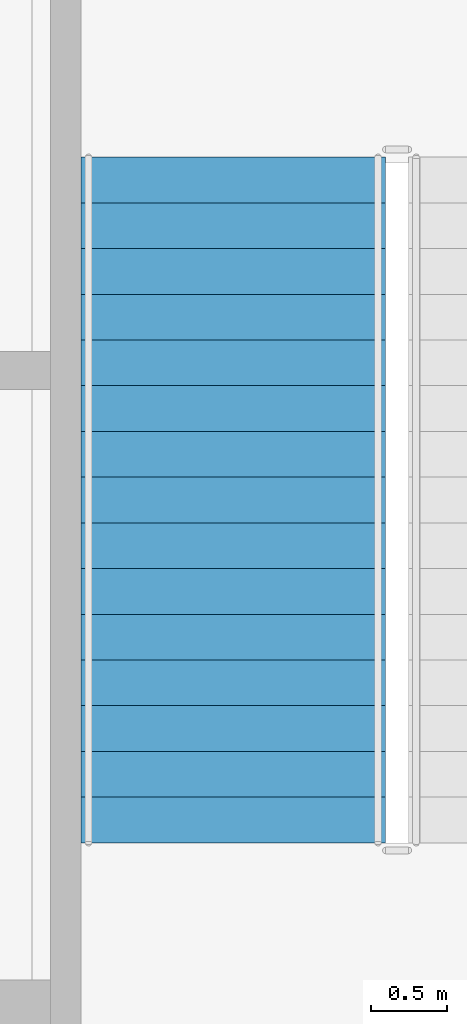
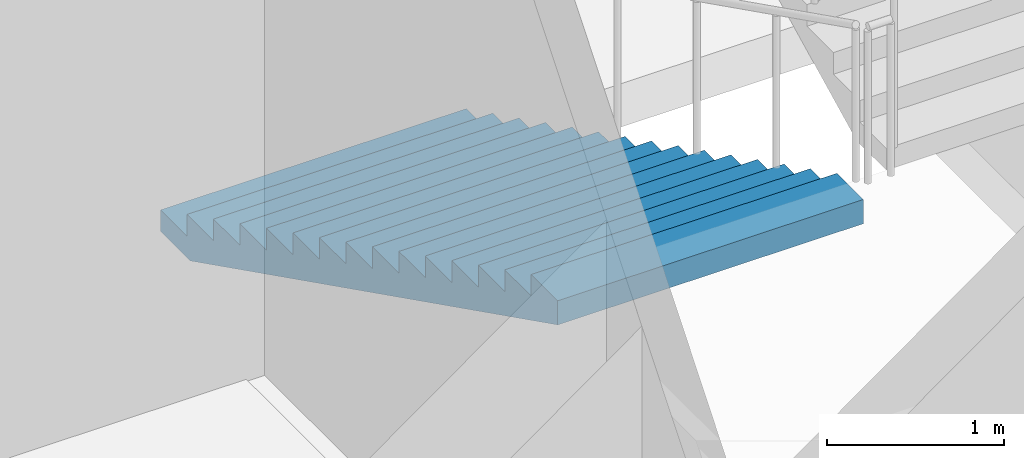
# One storey, part 80 of 100: 1 stair flight, 1 element without a shape of its own.
"""IFC4 building model written with IfcOpenShell, lengths in metres."""

from ifc_helpers import new_model, si_unit, direction, frame, origin, place, context, subcontext, project, spatial, faceted_brep, material, type_object, element, aggregate, save


model = new_model("IFC4")

# Units and contexts
model_context = context("Model", 3, precision=1e-05, world=origin(), true_north=direction((0.0, 1.0)))
body_context = subcontext(model_context, "Body", "Model", "MODEL_VIEW")
ifc_project = project(units=[si_unit("LENGTHUNIT", "METRE"), si_unit("AREAUNIT", "SQUARE_METRE"), si_unit("VOLUMEUNIT", "CUBIC_METRE"), si_unit("PLANEANGLEUNIT", "RADIAN"), si_unit("MASSUNIT", "GRAM", prefix="KILO")], contexts=[model_context])

# Site, building, storey
site_placement = place(None, origin())
site = spatial("IfcSite", under=ifc_project, at=site_placement, CompositionType="ELEMENT")
building_placement = place(site_placement, origin())
building = spatial("IfcBuilding", under=site, at=building_placement, Name="Kiln Court Media Centre", CompositionType="ELEMENT")
storey_placement = place(building_placement, frame((0.0, 0.0, 15.0)))
storey = spatial("IfcBuildingStorey", under=building, at=storey_placement, Name="L03", CompositionType="ELEMENT", Elevation=15.0)

# Stair, stair flight
ifc_material_1 = material(Name="Concrete C40/50", Category="concrete")
stair_type = type_object("IfcStairType", Name="Concrete C40/50 dog-leg stair 2000 wide, 150 riser", PredefinedType="HALF_TURN_STAIR", material=ifc_material_1)
stair_placement = place(storey_placement, origin())
stair = element("IfcStair", 1, at=stair_placement, inside=storey, type_object=stair_type, Name="ST-08 L03", PredefinedType="HALF_TURN_STAIR")
ifc_material_2 = material(Name="Concrete C40/50", Category="concrete")
stair_flight_type = type_object("IfcStairFlightType", Name="Concrete C40/50 stair flight 2000 wide, 150 riser, 300 going", PredefinedType="STRAIGHT", material=ifc_material_2)
stair_flight_placement = place(storey_placement, frame((30.0, 64.39990234375, 0.0), z_axis=(0.0, 0.0, 1.0), x_axis=(0.0, -1.0, 0.0)))
stair_flight = element("IfcStairFlight", 2, at=stair_flight_placement, type_object=stair_flight_type, Name="L03-ST-5006 flight 5012", NumberOfRisers=16, NumberOfTreads=15, PredefinedType="STRAIGHT", RiserHeight=0.15, TreadLength=0.3, context=body_context, shape_type="Brep", body=[
    faceted_brep([(0.335205078125, -1.0, 0.0), (4.5, -1.0, 2.08251953125), (4.5, -1.0, 2.25), (4.199951171875, -1.0, 2.25), (4.199951171875, -1.0, 2.10009765625), (3.89990234375, -1.0, 2.10009765625), (3.89990234375, -1.0, 1.949951171875), (3.60009765625, -1.0, 1.949951171875), (3.60009765625, -1.0, 1.800048828125), (3.300048828125, -1.0, 1.800048828125), (3.300048828125, -1.0, 1.64990234375), (3.0, -1.0, 1.64990234375), (3.0, -1.0, 1.5), (2.699951171875, -1.0, 1.5), (2.699951171875, -1.0, 1.35009765625), (2.39990234375, -1.0, 1.35009765625), (2.39990234375, -1.0, 1.199951171875), (2.10009765625, -1.0, 1.199951171875), (2.10009765625, -1.0, 1.050048828125), (1.800048828125, -1.0, 1.050048828125), (1.800048828125, -1.0, 0.89990234375), (1.5, -1.0, 0.89990234375), (1.5, -1.0, 0.75), (1.199951171875, -1.0, 0.75), (1.199951171875, -1.0, 0.60009765625), (0.89990234375, -1.0, 0.60009765625), (0.89990234375, -1.0, 0.449951171875), (0.60009765625, -1.0, 0.449951171875), (0.60009765625, -1.0, 0.300048828125), (0.300048828125, -1.0, 0.300048828125), (0.300048828125, -1.0, 0.14990234375), (0.0, -1.0, 0.14990234375), (0.0, -1.0, 0.0), (0.0, 1.0, 0.0), (0.0, 1.0, 0.14990234375), (0.300048828125, 1.0, 0.14990234375), (0.300048828125, 1.0, 0.300048828125), (0.60009765625, 1.0, 0.300048828125), (0.60009765625, 1.0, 0.449951171875), (0.89990234375, 1.0, 0.449951171875), (0.89990234375, 1.0, 0.60009765625), (1.199951171875, 1.0, 0.60009765625), (1.199951171875, 1.0, 0.75), (1.5, 1.0, 0.75), (1.5, 1.0, 0.89990234375), (1.800048828125, 1.0, 0.89990234375), (1.800048828125, 1.0, 1.050048828125), (2.10009765625, 1.0, 1.050048828125), (2.10009765625, 1.0, 1.199951171875), (2.39990234375, 1.0, 1.199951171875), (2.39990234375, 1.0, 1.35009765625), (2.699951171875, 1.0, 1.35009765625), (2.699951171875, 1.0, 1.5), (3.0, 1.0, 1.5), (3.0, 1.0, 1.64990234375), (3.300048828125, 1.0, 1.64990234375), (3.300048828125, 1.0, 1.800048828125), (3.60009765625, 1.0, 1.800048828125), (3.60009765625, 1.0, 1.949951171875), (3.89990234375, 1.0, 1.949951171875), (3.89990234375, 1.0, 2.10009765625), (4.199951171875, 1.0, 2.10009765625), (4.199951171875, 1.0, 2.25), (4.5, 1.0, 2.25), (4.5, 1.0, 2.08251953125), (0.335205078125, 1.0, 0.0), (4.5, 0.10009765625, 2.08251953125), (0.335205078125, 0.10009765625, 0.0), (4.5, 0.080078125, 2.08251953125), (0.335205078125, 0.080078125, 0.0), (4.5, 0.06005859375, 2.08251953125), (0.335205078125, 0.06005859375, 0.0), (4.5, 0.0400390625, 2.08251953125), (0.335205078125, 0.0400390625, 0.0), (4.5, 0.02001953125, 2.08251953125), (0.335205078125, 0.02001953125, 0.0), (4.5, 0.0, 2.08251953125), (0.335205078125, 0.0, 0.0), (4.5, -0.02001953125, 2.08251953125), (0.335205078125, -0.02001953125, 0.0), (4.5, -0.0400390625, 2.08251953125), (0.335205078125, -0.0400390625, 0.0), (4.5, -0.06005859375, 2.08251953125), (0.335205078125, -0.06005859375, 0.0), (4.5, -0.080078125, 2.08251953125), (0.335205078125, -0.080078125, 0.0), (4.5, -0.10009765625, 2.08251953125), (0.335205078125, -0.10009765625, 0.0), (4.5, 0.10009765625, 2.25), (4.5, 0.080078125, 2.25), (4.5, 0.06005859375, 2.25), (4.5, 0.0400390625, 2.25), (4.5, 0.02001953125, 2.25), (4.5, 0.0, 2.25), (4.5, -0.02001953125, 2.25), (4.5, -0.0400390625, 2.25), (4.5, -0.06005859375, 2.25), (4.5, -0.080078125, 2.25), (4.5, -0.10009765625, 2.25), (4.199951171875, 0.10009765625, 2.25), (4.199951171875, 0.080078125, 2.25), (4.199951171875, 0.06005859375, 2.25), (4.199951171875, 0.0400390625, 2.25), (4.199951171875, 0.02001953125, 2.25), (4.199951171875, 0.0, 2.25), (4.199951171875, -0.02001953125, 2.25), (4.199951171875, -0.0400390625, 2.25), (4.199951171875, -0.06005859375, 2.25), (4.199951171875, -0.080078125, 2.25), (4.199951171875, -0.10009765625, 2.25), (4.199951171875, 0.10009765625, 2.10009765625), (4.199951171875, 0.080078125, 2.10009765625), (4.199951171875, 0.06005859375, 2.10009765625), (4.199951171875, 0.0400390625, 2.10009765625), (4.199951171875, 0.02001953125, 2.10009765625), (4.199951171875, 0.0, 2.10009765625), (4.199951171875, -0.02001953125, 2.10009765625), (4.199951171875, -0.0400390625, 2.10009765625), (4.199951171875, -0.06005859375, 2.10009765625), (4.199951171875, -0.080078125, 2.10009765625), (4.199951171875, -0.10009765625, 2.10009765625), (3.89990234375, 0.10009765625, 2.10009765625), (3.89990234375, 0.080078125, 2.10009765625), (3.89990234375, 0.06005859375, 2.10009765625), (3.89990234375, 0.0400390625, 2.10009765625), (3.89990234375, 0.02001953125, 2.10009765625), (3.89990234375, 0.0, 2.10009765625), (3.89990234375, -0.02001953125, 2.10009765625), (3.89990234375, -0.0400390625, 2.10009765625), (3.89990234375, -0.06005859375, 2.10009765625), (3.89990234375, -0.080078125, 2.10009765625), (3.89990234375, -0.10009765625, 2.10009765625), (3.89990234375, 0.10009765625, 1.949951171875), (3.89990234375, 0.080078125, 1.949951171875), (3.89990234375, 0.06005859375, 1.949951171875), (3.89990234375, 0.0400390625, 1.949951171875), (3.89990234375, 0.02001953125, 1.949951171875), (3.89990234375, 0.0, 1.949951171875), (3.89990234375, -0.02001953125, 1.949951171875), (3.89990234375, -0.0400390625, 1.949951171875), (3.89990234375, -0.06005859375, 1.949951171875), (3.89990234375, -0.080078125, 1.949951171875), (3.89990234375, -0.10009765625, 1.949951171875), (3.60009765625, 0.10009765625, 1.949951171875), (3.60009765625, 0.080078125, 1.949951171875), (3.60009765625, 0.06005859375, 1.949951171875), (3.60009765625, 0.0400390625, 1.949951171875), (3.60009765625, 0.02001953125, 1.949951171875), (3.60009765625, 0.0, 1.949951171875), (3.60009765625, -0.02001953125, 1.949951171875), (3.60009765625, -0.0400390625, 1.949951171875), (3.60009765625, -0.06005859375, 1.949951171875), (3.60009765625, -0.080078125, 1.949951171875), (3.60009765625, -0.10009765625, 1.949951171875), (3.60009765625, 0.10009765625, 1.800048828125), (3.60009765625, 0.080078125, 1.800048828125), (3.60009765625, 0.06005859375, 1.800048828125), (3.60009765625, 0.0400390625, 1.800048828125), (3.60009765625, 0.02001953125, 1.800048828125), (3.60009765625, 0.0, 1.800048828125), (3.60009765625, -0.02001953125, 1.800048828125), (3.60009765625, -0.0400390625, 1.800048828125), (3.60009765625, -0.06005859375, 1.800048828125), (3.60009765625, -0.080078125, 1.800048828125), (3.60009765625, -0.10009765625, 1.800048828125), (3.300048828125, 0.10009765625, 1.800048828125), (3.300048828125, 0.080078125, 1.800048828125), (3.300048828125, 0.06005859375, 1.800048828125), (3.300048828125, 0.0400390625, 1.800048828125), (3.300048828125, 0.02001953125, 1.800048828125), (3.300048828125, 0.0, 1.800048828125), (3.300048828125, -0.02001953125, 1.800048828125), (3.300048828125, -0.0400390625, 1.800048828125), (3.300048828125, -0.06005859375, 1.800048828125), (3.300048828125, -0.080078125, 1.800048828125), (3.300048828125, -0.10009765625, 1.800048828125), (3.300048828125, 0.10009765625, 1.64990234375), (3.300048828125, 0.080078125, 1.64990234375), (3.300048828125, 0.06005859375, 1.64990234375), (3.300048828125, 0.0400390625, 1.64990234375), (3.300048828125, 0.02001953125, 1.64990234375), (3.300048828125, 0.0, 1.64990234375), (3.300048828125, -0.02001953125, 1.64990234375), (3.300048828125, -0.0400390625, 1.64990234375), (3.300048828125, -0.06005859375, 1.64990234375), (3.300048828125, -0.080078125, 1.64990234375), (3.300048828125, -0.10009765625, 1.64990234375), (3.0, 0.10009765625, 1.64990234375), (3.0, 0.080078125, 1.64990234375), (3.0, 0.06005859375, 1.64990234375), (3.0, 0.0400390625, 1.64990234375), (3.0, 0.02001953125, 1.64990234375), (3.0, 0.0, 1.64990234375), (3.0, -0.02001953125, 1.64990234375), (3.0, -0.0400390625, 1.64990234375), (3.0, -0.06005859375, 1.64990234375), (3.0, -0.080078125, 1.64990234375), (3.0, -0.10009765625, 1.64990234375), (3.0, 0.10009765625, 1.5), (3.0, 0.080078125, 1.5), (3.0, 0.06005859375, 1.5), (3.0, 0.0400390625, 1.5), (3.0, 0.02001953125, 1.5), (3.0, 0.0, 1.5), (3.0, -0.02001953125, 1.5), (3.0, -0.0400390625, 1.5), (3.0, -0.06005859375, 1.5), (3.0, -0.080078125, 1.5), (3.0, -0.10009765625, 1.5), (2.699951171875, 0.10009765625, 1.5), (2.699951171875, 0.080078125, 1.5), (2.699951171875, 0.06005859375, 1.5), (2.699951171875, 0.0400390625, 1.5), (2.699951171875, 0.02001953125, 1.5), (2.699951171875, 0.0, 1.5), (2.699951171875, -0.02001953125, 1.5), (2.699951171875, -0.0400390625, 1.5), (2.699951171875, -0.06005859375, 1.5), (2.699951171875, -0.080078125, 1.5), (2.699951171875, -0.10009765625, 1.5), (2.699951171875, 0.10009765625, 1.35009765625), (2.699951171875, 0.080078125, 1.35009765625), (2.699951171875, 0.06005859375, 1.35009765625), (2.699951171875, 0.0400390625, 1.35009765625), (2.699951171875, 0.02001953125, 1.35009765625), (2.699951171875, 0.0, 1.35009765625), (2.699951171875, -0.02001953125, 1.35009765625), (2.699951171875, -0.0400390625, 1.35009765625), (2.699951171875, -0.06005859375, 1.35009765625), (2.699951171875, -0.080078125, 1.35009765625), (2.699951171875, -0.10009765625, 1.35009765625), (2.39990234375, 0.10009765625, 1.35009765625), (2.39990234375, 0.080078125, 1.35009765625), (2.39990234375, 0.06005859375, 1.35009765625), (2.39990234375, 0.0400390625, 1.35009765625), (2.39990234375, 0.02001953125, 1.35009765625), (2.39990234375, 0.0, 1.35009765625), (2.39990234375, -0.02001953125, 1.35009765625), (2.39990234375, -0.0400390625, 1.35009765625), (2.39990234375, -0.06005859375, 1.35009765625), (2.39990234375, -0.080078125, 1.35009765625), (2.39990234375, -0.10009765625, 1.35009765625), (2.39990234375, 0.10009765625, 1.199951171875), (2.39990234375, 0.080078125, 1.199951171875), (2.39990234375, 0.06005859375, 1.199951171875), (2.39990234375, 0.0400390625, 1.199951171875), (2.39990234375, 0.02001953125, 1.199951171875), (2.39990234375, 0.0, 1.199951171875), (2.39990234375, -0.02001953125, 1.199951171875), (2.39990234375, -0.0400390625, 1.199951171875), (2.39990234375, -0.06005859375, 1.199951171875), (2.39990234375, -0.080078125, 1.199951171875), (2.39990234375, -0.10009765625, 1.199951171875), (2.10009765625, 0.10009765625, 1.199951171875), (2.10009765625, 0.080078125, 1.199951171875), (2.10009765625, 0.06005859375, 1.199951171875), (2.10009765625, 0.0400390625, 1.199951171875), (2.10009765625, 0.02001953125, 1.199951171875), (2.10009765625, 0.0, 1.199951171875), (2.10009765625, -0.02001953125, 1.199951171875), (2.10009765625, -0.0400390625, 1.199951171875), (2.10009765625, -0.06005859375, 1.199951171875), (2.10009765625, -0.080078125, 1.199951171875), (2.10009765625, -0.10009765625, 1.199951171875), (2.10009765625, 0.10009765625, 1.050048828125), (2.10009765625, 0.080078125, 1.050048828125), (2.10009765625, 0.06005859375, 1.050048828125), (2.10009765625, 0.0400390625, 1.050048828125), (2.10009765625, 0.02001953125, 1.050048828125), (2.10009765625, 0.0, 1.050048828125), (2.10009765625, -0.02001953125, 1.050048828125), (2.10009765625, -0.0400390625, 1.050048828125), (2.10009765625, -0.06005859375, 1.050048828125), (2.10009765625, -0.080078125, 1.050048828125), (2.10009765625, -0.10009765625, 1.050048828125), (1.800048828125, 0.10009765625, 1.050048828125), (1.800048828125, 0.080078125, 1.050048828125), (1.800048828125, 0.06005859375, 1.050048828125), (1.800048828125, 0.0400390625, 1.050048828125), (1.800048828125, 0.02001953125, 1.050048828125), (1.800048828125, 0.0, 1.050048828125), (1.800048828125, -0.02001953125, 1.050048828125), (1.800048828125, -0.0400390625, 1.050048828125), (1.800048828125, -0.06005859375, 1.050048828125), (1.800048828125, -0.080078125, 1.050048828125), (1.800048828125, -0.10009765625, 1.050048828125), (1.800048828125, 0.10009765625, 0.89990234375), (1.800048828125, 0.080078125, 0.89990234375), (1.800048828125, 0.06005859375, 0.89990234375), (1.800048828125, 0.0400390625, 0.89990234375), (1.800048828125, 0.02001953125, 0.89990234375), (1.800048828125, 0.0, 0.89990234375), (1.800048828125, -0.02001953125, 0.89990234375), (1.800048828125, -0.0400390625, 0.89990234375), (1.800048828125, -0.06005859375, 0.89990234375), (1.800048828125, -0.080078125, 0.89990234375), (1.800048828125, -0.10009765625, 0.89990234375), (1.5, 0.10009765625, 0.89990234375), (1.5, 0.080078125, 0.89990234375), (1.5, 0.06005859375, 0.89990234375), (1.5, 0.0400390625, 0.89990234375), (1.5, 0.02001953125, 0.89990234375), (1.5, 0.0, 0.89990234375), (1.5, -0.02001953125, 0.89990234375), (1.5, -0.0400390625, 0.89990234375), (1.5, -0.06005859375, 0.89990234375), (1.5, -0.080078125, 0.89990234375), (1.5, -0.10009765625, 0.89990234375), (1.5, 0.10009765625, 0.75), (1.5, 0.080078125, 0.75), (1.5, 0.06005859375, 0.75), (1.5, 0.0400390625, 0.75), (1.5, 0.02001953125, 0.75), (1.5, 0.0, 0.75), (1.5, -0.02001953125, 0.75), (1.5, -0.0400390625, 0.75), (1.5, -0.06005859375, 0.75), (1.5, -0.080078125, 0.75), (1.5, -0.10009765625, 0.75), (1.199951171875, 0.10009765625, 0.75), (1.199951171875, 0.080078125, 0.75), (1.199951171875, 0.06005859375, 0.75), (1.199951171875, 0.0400390625, 0.75), (1.199951171875, 0.02001953125, 0.75), (1.199951171875, 0.0, 0.75), (1.199951171875, -0.02001953125, 0.75), (1.199951171875, -0.0400390625, 0.75), (1.199951171875, -0.06005859375, 0.75), (1.199951171875, -0.080078125, 0.75), (1.199951171875, -0.10009765625, 0.75), (1.199951171875, 0.10009765625, 0.60009765625), (1.199951171875, 0.080078125, 0.60009765625), (1.199951171875, 0.06005859375, 0.60009765625), (1.199951171875, 0.0400390625, 0.60009765625), (1.199951171875, 0.02001953125, 0.60009765625), (1.199951171875, 0.0, 0.60009765625), (1.199951171875, -0.02001953125, 0.60009765625), (1.199951171875, -0.0400390625, 0.60009765625), (1.199951171875, -0.06005859375, 0.60009765625), (1.199951171875, -0.080078125, 0.60009765625), (1.199951171875, -0.10009765625, 0.60009765625), (0.89990234375, 0.10009765625, 0.60009765625), (0.89990234375, 0.080078125, 0.60009765625), (0.89990234375, 0.06005859375, 0.60009765625), (0.89990234375, 0.0400390625, 0.60009765625), (0.89990234375, 0.02001953125, 0.60009765625), (0.89990234375, 0.0, 0.60009765625), (0.89990234375, -0.02001953125, 0.60009765625), (0.89990234375, -0.0400390625, 0.60009765625), (0.89990234375, -0.06005859375, 0.60009765625), (0.89990234375, -0.080078125, 0.60009765625), (0.89990234375, -0.10009765625, 0.60009765625), (0.89990234375, 0.10009765625, 0.449951171875), (0.89990234375, 0.080078125, 0.449951171875), (0.89990234375, 0.06005859375, 0.449951171875), (0.89990234375, 0.0400390625, 0.449951171875), (0.89990234375, 0.02001953125, 0.449951171875), (0.89990234375, 0.0, 0.449951171875), (0.89990234375, -0.02001953125, 0.449951171875), (0.89990234375, -0.0400390625, 0.449951171875), (0.89990234375, -0.06005859375, 0.449951171875), (0.89990234375, -0.080078125, 0.449951171875), (0.89990234375, -0.10009765625, 0.449951171875), (0.60009765625, 0.10009765625, 0.449951171875), (0.60009765625, 0.080078125, 0.449951171875), (0.60009765625, 0.06005859375, 0.449951171875), (0.60009765625, 0.0400390625, 0.449951171875), (0.60009765625, 0.02001953125, 0.449951171875), (0.60009765625, 0.0, 0.449951171875), (0.60009765625, -0.02001953125, 0.449951171875), (0.60009765625, -0.0400390625, 0.449951171875), (0.60009765625, -0.06005859375, 0.449951171875), (0.60009765625, -0.080078125, 0.449951171875), (0.60009765625, -0.10009765625, 0.449951171875), (0.60009765625, 0.10009765625, 0.300048828125), (0.60009765625, 0.080078125, 0.300048828125), (0.60009765625, 0.06005859375, 0.300048828125), (0.60009765625, 0.0400390625, 0.300048828125), (0.60009765625, 0.02001953125, 0.300048828125), (0.60009765625, 0.0, 0.300048828125), (0.60009765625, -0.02001953125, 0.300048828125), (0.60009765625, -0.0400390625, 0.300048828125), (0.60009765625, -0.06005859375, 0.300048828125), (0.60009765625, -0.080078125, 0.300048828125), (0.60009765625, -0.10009765625, 0.300048828125), (0.300048828125, 0.10009765625, 0.300048828125), (0.300048828125, 0.080078125, 0.300048828125), (0.300048828125, 0.06005859375, 0.300048828125), (0.300048828125, 0.0400390625, 0.300048828125), (0.300048828125, 0.02001953125, 0.300048828125), (0.300048828125, 0.0, 0.300048828125), (0.300048828125, -0.02001953125, 0.300048828125), (0.300048828125, -0.0400390625, 0.300048828125), (0.300048828125, -0.06005859375, 0.300048828125), (0.300048828125, -0.080078125, 0.300048828125), (0.300048828125, -0.10009765625, 0.300048828125), (0.300048828125, 0.10009765625, 0.14990234375), (0.300048828125, 0.080078125, 0.14990234375), (0.300048828125, 0.06005859375, 0.14990234375), (0.300048828125, 0.0400390625, 0.14990234375), (0.300048828125, 0.02001953125, 0.14990234375), (0.300048828125, 0.0, 0.14990234375), (0.300048828125, -0.02001953125, 0.14990234375), (0.300048828125, -0.0400390625, 0.14990234375), (0.300048828125, -0.06005859375, 0.14990234375), (0.300048828125, -0.080078125, 0.14990234375), (0.300048828125, -0.10009765625, 0.14990234375), (0.0, 0.10009765625, 0.14990234375), (0.0, 0.080078125, 0.14990234375), (0.0, 0.06005859375, 0.14990234375), (0.0, 0.0400390625, 0.14990234375), (0.0, 0.02001953125, 0.14990234375), (0.0, 0.0, 0.14990234375), (0.0, -0.02001953125, 0.14990234375), (0.0, -0.0400390625, 0.14990234375), (0.0, -0.06005859375, 0.14990234375), (0.0, -0.080078125, 0.14990234375), (0.0, -0.10009765625, 0.14990234375), (0.0, 0.10009765625, 0.0), (0.0, 0.080078125, 0.0), (0.0, 0.06005859375, 0.0), (0.0, 0.0400390625, 0.0), (0.0, 0.02001953125, 0.0), (0.0, 0.0, 0.0), (0.0, -0.02001953125, 0.0), (0.0, -0.0400390625, 0.0), (0.0, -0.06005859375, 0.0), (0.0, -0.080078125, 0.0), (0.0, -0.10009765625, 0.0)], [[[0, 1, 2, 3, 4, 5, 6, 7, 8, 9, 10, 11, 12, 13, 14, 15, 16, 17, 18, 19, 20, 21, 22, 23, 24, 25, 26, 27, 28, 29, 30, 31, 32]], [[33, 34, 35, 36, 37, 38, 39, 40, 41, 42, 43, 44, 45, 46, 47, 48, 49, 50, 51, 52, 53, 54, 55, 56, 57, 58, 59, 60, 61, 62, 63, 64, 65]], [[65, 64, 66, 67]], [[67, 66, 68, 69]], [[69, 68, 70, 71]], [[71, 70, 72, 73]], [[73, 72, 74, 75]], [[75, 74, 76, 77]], [[77, 76, 78, 79]], [[79, 78, 80, 81]], [[81, 80, 82, 83]], [[83, 82, 84, 85]], [[85, 84, 86, 87]], [[87, 86, 1, 0]], [[64, 63, 88, 66]], [[66, 88, 89, 68]], [[68, 89, 90, 70]], [[70, 90, 91, 72]], [[72, 91, 92, 74]], [[74, 92, 93, 76]], [[76, 93, 94, 78]], [[78, 94, 95, 80]], [[80, 95, 96, 82]], [[82, 96, 97, 84]], [[84, 97, 98, 86]], [[86, 98, 2, 1]], [[63, 62, 99, 88]], [[88, 99, 100, 89]], [[89, 100, 101, 90]], [[90, 101, 102, 91]], [[91, 102, 103, 92]], [[92, 103, 104, 93]], [[93, 104, 105, 94]], [[94, 105, 106, 95]], [[95, 106, 107, 96]], [[96, 107, 108, 97]], [[97, 108, 109, 98]], [[98, 109, 3, 2]], [[62, 61, 110, 99]], [[99, 110, 111, 100]], [[100, 111, 112, 101]], [[101, 112, 113, 102]], [[102, 113, 114, 103]], [[103, 114, 115, 104]], [[104, 115, 116, 105]], [[105, 116, 117, 106]], [[106, 117, 118, 107]], [[107, 118, 119, 108]], [[108, 119, 120, 109]], [[109, 120, 4, 3]], [[61, 60, 121, 110]], [[110, 121, 122, 111]], [[111, 122, 123, 112]], [[112, 123, 124, 113]], [[113, 124, 125, 114]], [[114, 125, 126, 115]], [[115, 126, 127, 116]], [[116, 127, 128, 117]], [[117, 128, 129, 118]], [[118, 129, 130, 119]], [[119, 130, 131, 120]], [[120, 131, 5, 4]], [[60, 59, 132, 121]], [[121, 132, 133, 122]], [[122, 133, 134, 123]], [[123, 134, 135, 124]], [[124, 135, 136, 125]], [[125, 136, 137, 126]], [[126, 137, 138, 127]], [[127, 138, 139, 128]], [[128, 139, 140, 129]], [[129, 140, 141, 130]], [[130, 141, 142, 131]], [[131, 142, 6, 5]], [[59, 58, 143, 132]], [[132, 143, 144, 133]], [[133, 144, 145, 134]], [[134, 145, 146, 135]], [[135, 146, 147, 136]], [[136, 147, 148, 137]], [[137, 148, 149, 138]], [[138, 149, 150, 139]], [[139, 150, 151, 140]], [[140, 151, 152, 141]], [[141, 152, 153, 142]], [[142, 153, 7, 6]], [[58, 57, 154, 143]], [[143, 154, 155, 144]], [[144, 155, 156, 145]], [[145, 156, 157, 146]], [[146, 157, 158, 147]], [[147, 158, 159, 148]], [[148, 159, 160, 149]], [[149, 160, 161, 150]], [[150, 161, 162, 151]], [[151, 162, 163, 152]], [[152, 163, 164, 153]], [[153, 164, 8, 7]], [[57, 56, 165, 154]], [[154, 165, 166, 155]], [[155, 166, 167, 156]], [[156, 167, 168, 157]], [[157, 168, 169, 158]], [[158, 169, 170, 159]], [[159, 170, 171, 160]], [[160, 171, 172, 161]], [[161, 172, 173, 162]], [[162, 173, 174, 163]], [[163, 174, 175, 164]], [[164, 175, 9, 8]], [[56, 55, 176, 165]], [[165, 176, 177, 166]], [[166, 177, 178, 167]], [[167, 178, 179, 168]], [[168, 179, 180, 169]], [[169, 180, 181, 170]], [[170, 181, 182, 171]], [[171, 182, 183, 172]], [[172, 183, 184, 173]], [[173, 184, 185, 174]], [[174, 185, 186, 175]], [[175, 186, 10, 9]], [[55, 54, 187, 176]], [[176, 187, 188, 177]], [[177, 188, 189, 178]], [[178, 189, 190, 179]], [[179, 190, 191, 180]], [[180, 191, 192, 181]], [[181, 192, 193, 182]], [[182, 193, 194, 183]], [[183, 194, 195, 184]], [[184, 195, 196, 185]], [[185, 196, 197, 186]], [[186, 197, 11, 10]], [[54, 53, 198, 187]], [[187, 198, 199, 188]], [[188, 199, 200, 189]], [[189, 200, 201, 190]], [[190, 201, 202, 191]], [[191, 202, 203, 192]], [[192, 203, 204, 193]], [[193, 204, 205, 194]], [[194, 205, 206, 195]], [[195, 206, 207, 196]], [[196, 207, 208, 197]], [[197, 208, 12, 11]], [[53, 52, 209, 198]], [[198, 209, 210, 199]], [[199, 210, 211, 200]], [[200, 211, 212, 201]], [[201, 212, 213, 202]], [[202, 213, 214, 203]], [[203, 214, 215, 204]], [[204, 215, 216, 205]], [[205, 216, 217, 206]], [[206, 217, 218, 207]], [[207, 218, 219, 208]], [[208, 219, 13, 12]], [[52, 51, 220, 209]], [[209, 220, 221, 210]], [[210, 221, 222, 211]], [[211, 222, 223, 212]], [[212, 223, 224, 213]], [[213, 224, 225, 214]], [[214, 225, 226, 215]], [[215, 226, 227, 216]], [[216, 227, 228, 217]], [[217, 228, 229, 218]], [[218, 229, 230, 219]], [[219, 230, 14, 13]], [[51, 50, 231, 220]], [[220, 231, 232, 221]], [[221, 232, 233, 222]], [[222, 233, 234, 223]], [[223, 234, 235, 224]], [[224, 235, 236, 225]], [[225, 236, 237, 226]], [[226, 237, 238, 227]], [[227, 238, 239, 228]], [[228, 239, 240, 229]], [[229, 240, 241, 230]], [[230, 241, 15, 14]], [[50, 49, 242, 231]], [[231, 242, 243, 232]], [[232, 243, 244, 233]], [[233, 244, 245, 234]], [[234, 245, 246, 235]], [[235, 246, 247, 236]], [[236, 247, 248, 237]], [[237, 248, 249, 238]], [[238, 249, 250, 239]], [[239, 250, 251, 240]], [[240, 251, 252, 241]], [[241, 252, 16, 15]], [[49, 48, 253, 242]], [[242, 253, 254, 243]], [[243, 254, 255, 244]], [[244, 255, 256, 245]], [[245, 256, 257, 246]], [[246, 257, 258, 247]], [[247, 258, 259, 248]], [[248, 259, 260, 249]], [[249, 260, 261, 250]], [[250, 261, 262, 251]], [[251, 262, 263, 252]], [[252, 263, 17, 16]], [[48, 47, 264, 253]], [[253, 264, 265, 254]], [[254, 265, 266, 255]], [[255, 266, 267, 256]], [[256, 267, 268, 257]], [[257, 268, 269, 258]], [[258, 269, 270, 259]], [[259, 270, 271, 260]], [[260, 271, 272, 261]], [[261, 272, 273, 262]], [[262, 273, 274, 263]], [[263, 274, 18, 17]], [[47, 46, 275, 264]], [[264, 275, 276, 265]], [[265, 276, 277, 266]], [[266, 277, 278, 267]], [[267, 278, 279, 268]], [[268, 279, 280, 269]], [[269, 280, 281, 270]], [[270, 281, 282, 271]], [[271, 282, 283, 272]], [[272, 283, 284, 273]], [[273, 284, 285, 274]], [[274, 285, 19, 18]], [[46, 45, 286, 275]], [[275, 286, 287, 276]], [[276, 287, 288, 277]], [[277, 288, 289, 278]], [[278, 289, 290, 279]], [[279, 290, 291, 280]], [[280, 291, 292, 281]], [[281, 292, 293, 282]], [[282, 293, 294, 283]], [[283, 294, 295, 284]], [[284, 295, 296, 285]], [[285, 296, 20, 19]], [[45, 44, 297, 286]], [[286, 297, 298, 287]], [[287, 298, 299, 288]], [[288, 299, 300, 289]], [[289, 300, 301, 290]], [[290, 301, 302, 291]], [[291, 302, 303, 292]], [[292, 303, 304, 293]], [[293, 304, 305, 294]], [[294, 305, 306, 295]], [[295, 306, 307, 296]], [[296, 307, 21, 20]], [[44, 43, 308, 297]], [[297, 308, 309, 298]], [[298, 309, 310, 299]], [[299, 310, 311, 300]], [[300, 311, 312, 301]], [[301, 312, 313, 302]], [[302, 313, 314, 303]], [[303, 314, 315, 304]], [[304, 315, 316, 305]], [[305, 316, 317, 306]], [[306, 317, 318, 307]], [[307, 318, 22, 21]], [[43, 42, 319, 308]], [[308, 319, 320, 309]], [[309, 320, 321, 310]], [[310, 321, 322, 311]], [[311, 322, 323, 312]], [[312, 323, 324, 313]], [[313, 324, 325, 314]], [[314, 325, 326, 315]], [[315, 326, 327, 316]], [[316, 327, 328, 317]], [[317, 328, 329, 318]], [[318, 329, 23, 22]], [[42, 41, 330, 319]], [[319, 330, 331, 320]], [[320, 331, 332, 321]], [[321, 332, 333, 322]], [[322, 333, 334, 323]], [[323, 334, 335, 324]], [[324, 335, 336, 325]], [[325, 336, 337, 326]], [[326, 337, 338, 327]], [[327, 338, 339, 328]], [[328, 339, 340, 329]], [[329, 340, 24, 23]], [[41, 40, 341, 330]], [[330, 341, 342, 331]], [[331, 342, 343, 332]], [[332, 343, 344, 333]], [[333, 344, 345, 334]], [[334, 345, 346, 335]], [[335, 346, 347, 336]], [[336, 347, 348, 337]], [[337, 348, 349, 338]], [[338, 349, 350, 339]], [[339, 350, 351, 340]], [[340, 351, 25, 24]], [[40, 39, 352, 341]], [[341, 352, 353, 342]], [[342, 353, 354, 343]], [[343, 354, 355, 344]], [[344, 355, 356, 345]], [[345, 356, 357, 346]], [[346, 357, 358, 347]], [[347, 358, 359, 348]], [[348, 359, 360, 349]], [[349, 360, 361, 350]], [[350, 361, 362, 351]], [[351, 362, 26, 25]], [[39, 38, 363, 352]], [[352, 363, 364, 353]], [[353, 364, 365, 354]], [[354, 365, 366, 355]], [[355, 366, 367, 356]], [[356, 367, 368, 357]], [[357, 368, 369, 358]], [[358, 369, 370, 359]], [[359, 370, 371, 360]], [[360, 371, 372, 361]], [[361, 372, 373, 362]], [[362, 373, 27, 26]], [[38, 37, 374, 363]], [[363, 374, 375, 364]], [[364, 375, 376, 365]], [[365, 376, 377, 366]], [[366, 377, 378, 367]], [[367, 378, 379, 368]], [[368, 379, 380, 369]], [[369, 380, 381, 370]], [[370, 381, 382, 371]], [[371, 382, 383, 372]], [[372, 383, 384, 373]], [[373, 384, 28, 27]], [[37, 36, 385, 374]], [[374, 385, 386, 375]], [[375, 386, 387, 376]], [[376, 387, 388, 377]], [[377, 388, 389, 378]], [[378, 389, 390, 379]], [[379, 390, 391, 380]], [[380, 391, 392, 381]], [[381, 392, 393, 382]], [[382, 393, 394, 383]], [[383, 394, 395, 384]], [[384, 395, 29, 28]], [[36, 35, 396, 385]], [[385, 396, 397, 386]], [[386, 397, 398, 387]], [[387, 398, 399, 388]], [[388, 399, 400, 389]], [[389, 400, 401, 390]], [[390, 401, 402, 391]], [[391, 402, 403, 392]], [[392, 403, 404, 393]], [[393, 404, 405, 394]], [[394, 405, 406, 395]], [[395, 406, 30, 29]], [[35, 34, 407, 396]], [[396, 407, 408, 397]], [[397, 408, 409, 398]], [[398, 409, 410, 399]], [[399, 410, 411, 400]], [[400, 411, 412, 401]], [[401, 412, 413, 402]], [[402, 413, 414, 403]], [[403, 414, 415, 404]], [[404, 415, 416, 405]], [[405, 416, 417, 406]], [[406, 417, 31, 30]], [[34, 33, 418, 407]], [[407, 418, 419, 408]], [[408, 419, 420, 409]], [[409, 420, 421, 410]], [[410, 421, 422, 411]], [[411, 422, 423, 412]], [[412, 423, 424, 413]], [[413, 424, 425, 414]], [[414, 425, 426, 415]], [[415, 426, 427, 416]], [[416, 427, 428, 417]], [[417, 428, 32, 31]], [[33, 65, 67, 418]], [[418, 67, 69, 419]], [[419, 69, 71, 420]], [[420, 71, 73, 421]], [[421, 73, 75, 422]], [[422, 75, 77, 423]], [[423, 77, 79, 424]], [[424, 79, 81, 425]], [[425, 81, 83, 426]], [[426, 83, 85, 427]], [[427, 85, 87, 428]], [[428, 87, 0, 32]]]),
])
aggregate(stair, [stair_flight])

save(model, "model.ifc")
